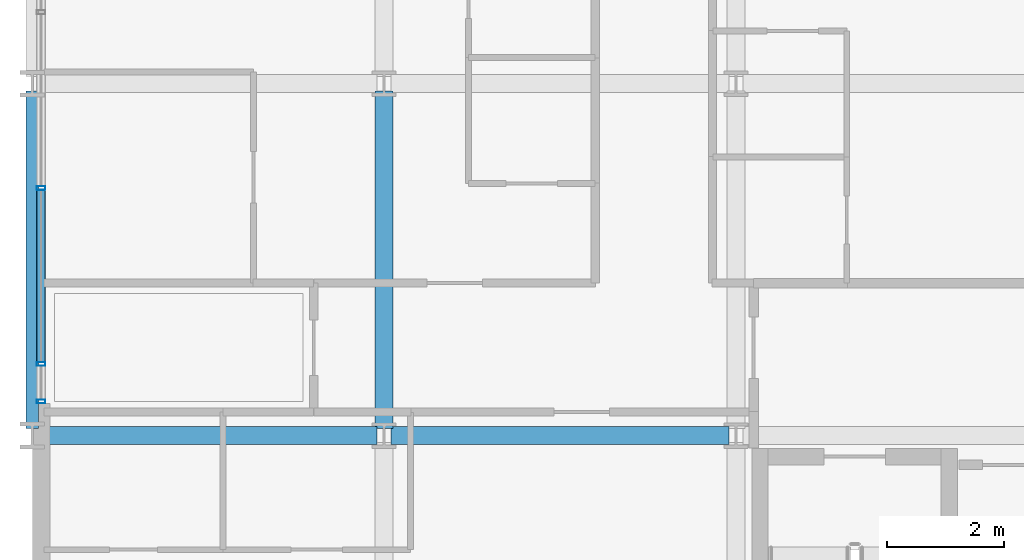
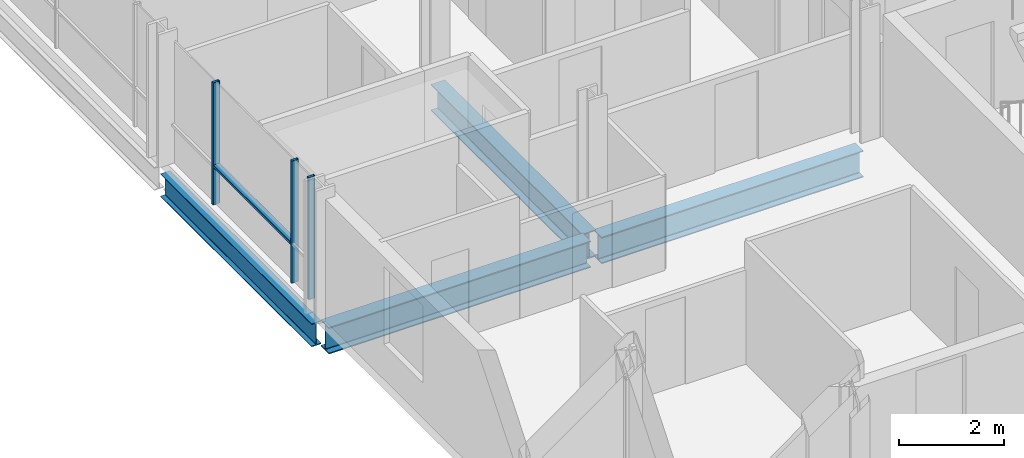
# One storey, part 2 of 41: 4 beams, 4 members, 1 element without a shape of its own.
"""IFC4 building model written with IfcOpenShell, lengths in metres."""

from ifc_helpers import new_model, si_unit, direction, frame, origin, origin_2d, place, context, subcontext, project, spatial, hollow_rectangle, i_section, extrude, material, layer, layer_set, material_profile, profile_set, type_object, element, aggregate, save


model = new_model("IFC4")

# Units and contexts
model_context = context("Model", 3, precision=1e-05, world=origin(), true_north=direction((0.0, 1.0)))
body_context = subcontext(model_context, "Body", "Model", "MODEL_VIEW")
ifc_project = project(units=[si_unit("LENGTHUNIT", "METRE"), si_unit("AREAUNIT", "SQUARE_METRE"), si_unit("VOLUMEUNIT", "CUBIC_METRE"), si_unit("PLANEANGLEUNIT", "RADIAN"), si_unit("MASSUNIT", "GRAM", prefix="KILO")], contexts=[model_context])

# Site, building, storey
site_placement = place(None, origin())
site = spatial("IfcSite", under=ifc_project, at=site_placement, CompositionType="ELEMENT")
building_placement = place(site_placement, origin())
building = spatial("IfcBuilding", under=site, at=building_placement, Name="Brevholm Reach", CompositionType="ELEMENT")
storey_placement = place(building_placement, frame((0.0, 0.0, 93.10009765625)))
storey = spatial("IfcBuildingStorey", under=building, at=storey_placement, Name="L27", CompositionType="ELEMENT", Elevation=93.10009765625)

# Beams
ifc_material_1 = material(Name="Structural Steel S355J2", Category="steel")
ifc_material_profile_1 = material_profile(ifc_material_1, i_section(OverallWidth=0.210693359375, OverallDepth=0.53955078125, WebThickness=0.01171875, FlangeThickness=0.018798828125, FilletRadius=0.0126953125, at=origin_2d()), Name="UKB 533x210x109")
ifc_profile_set_1 = profile_set([ifc_material_profile_1], Name="Structural Steel S355J2")
beam_type_1 = type_object("IfcBeamType", Name="BM-SP539", PredefinedType="SPANDREL", material=ifc_profile_set_1)
beam_placement = place(storey_placement, frame((0.0, 10.1201171875, -0.499755859375), z_axis=(0.0, 1.0, 0.0), x_axis=(-1.0, 0.0, 0.0)))
element("IfcBeam", 1, at=beam_placement, inside=storey, type_object=beam_type_1, Name="L27 SP-01B Framing Beam", PredefinedType="SPANDREL", context=body_context, shape_type="SweptSolid", body=[
    extrude(i_section(OverallWidth=0.210693359375, OverallDepth=0.53955078125, WebThickness=0.01171875, FlangeThickness=0.018798828125, FilletRadius=0.0126953125, at=origin_2d()), origin(), (0.0, 0.0, 1.0), 5.759765625),
])
ifc_material_2 = material(Name="Structural Steel S355J2", Category="steel")
ifc_material_profile_2 = material_profile(ifc_material_2, i_section(OverallWidth=0.30712890625, OverallDepth=0.6201171875, WebThickness=0.01416015625, FlangeThickness=0.023681640625, FilletRadius=0.0166015625, at=origin_2d()), Name="UKB 610x305x179")
ifc_profile_set_2 = profile_set([ifc_material_profile_2], Name="Structural Steel S355J2")
beam_type_2 = type_object("IfcBeamType", Name="BM-UKB610H", PredefinedType="USERDEFINED", material=ifc_profile_set_2)
for number, where, z_axis, x_axis, name in (
    (2, (0.1201171875, 10.0, -0.540283203125), (1.0, 0.0, 0.0), (0.0, 1.0, 0.0), "L27 G-06 Framing Beam"),
    (3, (6.1201171875, 10.0, -0.540283203125), (1.0, 0.0, 0.0), (0.0, 1.0, 0.0), "L27 G-06 Framing Beam"),
    (4, (6.0, 10.1201171875, -0.540283203125), (0.0, 1.0, 0.0), (-1.0, 0.0, 0.0), "L27 G-06 Framing Beam"),
):
    element("IfcBeam", number, at=place(storey_placement, frame(where, z_axis=z_axis, x_axis=x_axis)), inside=storey, type_object=beam_type_2, Name=name, ObjectType="GIRDER", PredefinedType="USERDEFINED", context=body_context, shape_type="SweptSolid", body=[
        extrude(i_section(OverallWidth=0.30712890625, OverallDepth=0.6201171875, WebThickness=0.01416015625, FlangeThickness=0.023681640625, FilletRadius=0.0166015625, at=origin_2d()), origin(), (0.0, 0.0, 1.0), 5.759765625),
    ])

# Curtain wall, members
ifc_material_3 = material(Name="Dark Anodised Aluminium 6063-T6 and Solar-Control Glass", Category="aluminium")
ifc_layer = layer(ifc_material_3, 0.14990234375)
ifc_layer_set = layer_set([ifc_layer], Name="Dark Anodised Aluminium 6063-T6 and Solar-Control Glass")
curtain_wall_type = type_object("IfcCurtainWallType", Name="CW-01", PredefinedType="NOTDEFINED", material=ifc_layer_set)
curtain_wall_placement = place(storey_placement, origin())
curtain_wall = element("IfcCurtainWall", 5, at=curtain_wall_placement, inside=storey, type_object=curtain_wall_type, Name="L27 Curtain Wall CW-01", PredefinedType="NOTDEFINED")
ifc_material_4 = material(Name="Dark Anodised Aluminium 6063-T6", Category="aluminium")
ifc_material_profile_3 = material_profile(ifc_material_4, hollow_rectangle(XDim=0.06494140625, YDim=0.14990234375, WallThickness=0.0048828125, InnerFilletRadius=0.0048828125, OuterFilletRadius=0.010009765625, at=origin_2d()), Name="RHS 150x65x5")
ifc_profile_set_3 = profile_set([ifc_material_profile_3], Name="Dark Anodised Aluminium 6063-T6")
member_type_1 = type_object("IfcMemberType", Name="CWM-150", PredefinedType="MULLION", material=ifc_profile_set_3)
member_1_placement = place(storey_placement, frame((0.14990234375, 14.219970703125, 0.0), z_axis=(0.0, 0.0, 1.0), x_axis=(0.0, -1.0, 0.0)))
member_1 = element("IfcMember", 6, at=member_1_placement, type_object=member_type_1, Name="CM-150 Mullion 4", PredefinedType="MULLION", context=body_context, shape_type="SweptSolid", body=[
    extrude(hollow_rectangle(XDim=0.06494140625, YDim=0.14990234375, WallThickness=0.0048828125, InnerFilletRadius=0.0048828125, OuterFilletRadius=0.010009765625, at=origin_2d()), origin(), (0.0, 0.0, 1.0), 2.83984375),
])
member_2_placement = place(storey_placement, frame((0.14990234375, 11.219970703125, 0.0), z_axis=(0.0, 0.0, 1.0), x_axis=(0.0, -1.0, 0.0)))
member_2 = element("IfcMember", 7, at=member_2_placement, type_object=member_type_1, Name="CM-150 Mullion 5", PredefinedType="MULLION", context=body_context, shape_type="SweptSolid", body=[
    extrude(hollow_rectangle(XDim=0.06494140625, YDim=0.14990234375, WallThickness=0.0048828125, InnerFilletRadius=0.0048828125, OuterFilletRadius=0.010009765625, at=origin_2d()), origin(), (0.0, 0.0, 1.0), 2.83984375),
])
member_3_placement = place(storey_placement, frame((0.14990234375, 10.58251953125, 0.0), z_axis=(0.0, 0.0, 1.0), x_axis=(0.0, -1.0, 0.0)))
member_3 = element("IfcMember", 8, at=member_3_placement, type_object=member_type_1, Name="CM-150 Mullion 6", PredefinedType="MULLION", context=body_context, shape_type="SweptSolid", body=[
    extrude(hollow_rectangle(XDim=0.06494140625, YDim=0.14990234375, WallThickness=0.0048828125, InnerFilletRadius=0.0048828125, OuterFilletRadius=0.010009765625, at=origin_2d()), origin(), (0.0, 0.0, 1.0), 2.83984375),
])
ifc_material_5 = material(Name="Dark Anodised Aluminium 6063-T6", Category="aluminium")
ifc_material_profile_4 = material_profile(ifc_material_5, hollow_rectangle(XDim=0.06494140625, YDim=0.14990234375, WallThickness=0.0048828125, InnerFilletRadius=0.0048828125, OuterFilletRadius=0.010009765625, at=origin_2d()), Name="RHS 150x65x5")
ifc_profile_set_4 = profile_set([ifc_material_profile_4], Name="Dark Anodised Aluminium 6063-T6")
member_type_2 = type_object("IfcMemberType", Name="CWT-150", PredefinedType="NOTDEFINED", material=ifc_profile_set_4)
member_4_placement = place(storey_placement, frame((0.14990234375, 14.1875, 0.89990234375), z_axis=(0.0, -1.0, 0.0), x_axis=(0.0, 0.0, 1.0)))
member_4 = element("IfcMember", 9, at=member_4_placement, type_object=member_type_2, Name="CT-150 Transom 4.1", ObjectType="TRANSOM", PredefinedType="USERDEFINED", context=body_context, shape_type="SweptSolid", body=[
    extrude(hollow_rectangle(XDim=0.06494140625, YDim=0.14990234375, WallThickness=0.0048828125, InnerFilletRadius=0.0048828125, OuterFilletRadius=0.010009765625, at=origin_2d()), origin(), (0.0, 0.0, 1.0), 2.93505859375),
])
aggregate(curtain_wall, [member_1, member_2, member_3, member_4])

save(model, "model.ifc")
